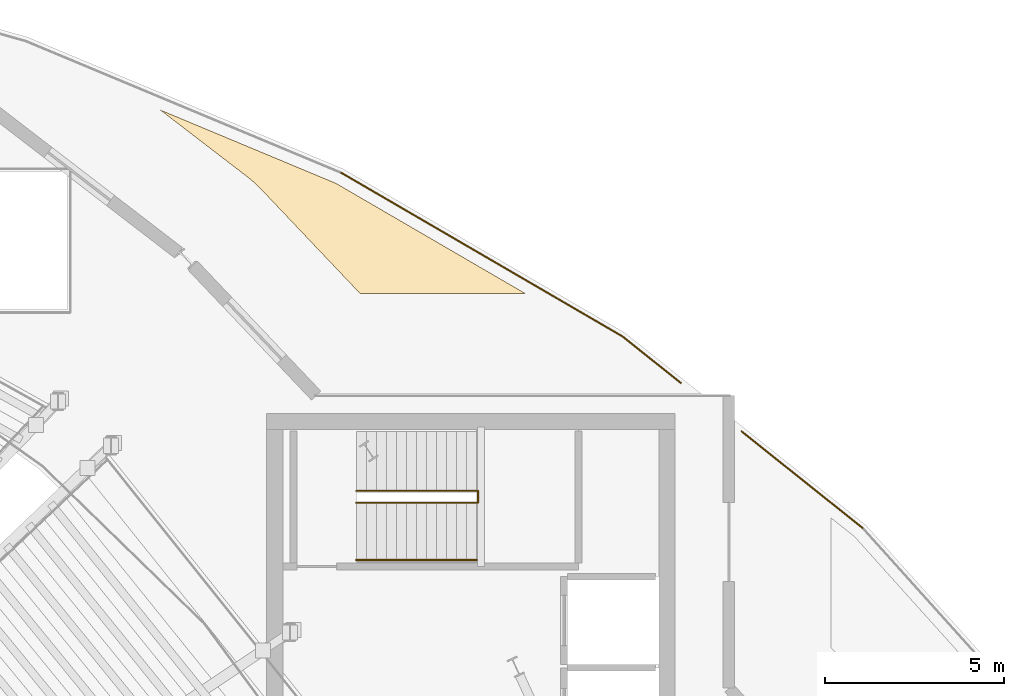
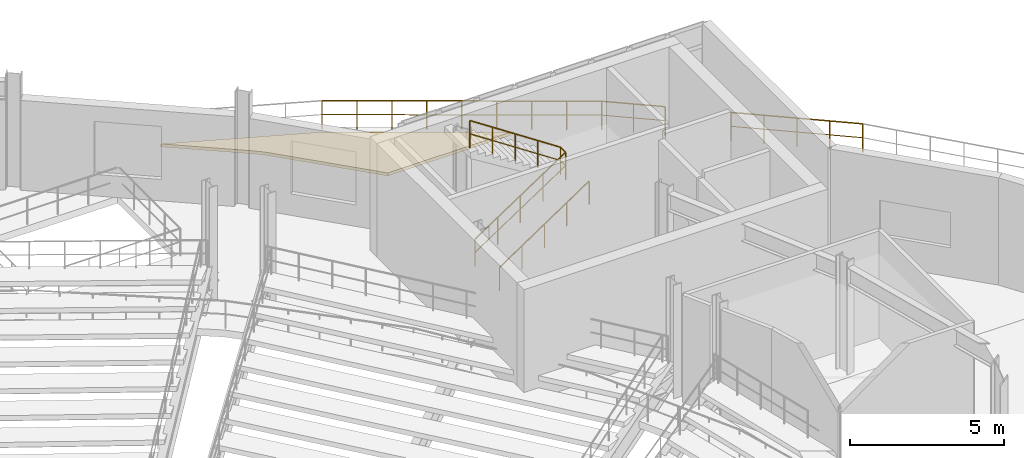
# One storey, part 81 of 81: 5 railings, 1 covering.
"""IFC4 building model written with IfcOpenShell, lengths in metres."""

import ifcopenshell
import ifcopenshell.guid

model = None  # the IFC model being written
_history = None  # IfcOwnerHistory: only IFC2X3 demands one
_inside = {}  # id of a spatial element -> (the spatial element, [elements in it])
_under = {}  # id of a project, library or spatial element -> (it, [spatial elements below it])
_declared = {}  # id of a project -> (the project, [libraries it declares])
_typed = {}  # id of a type object -> (the type object, [elements of that type])
_made_of = {}  # id of a material, layer set ... -> (it, [elements and type objects made of it])


def new_model(schema):
    """Start an empty IFC model of exactly this schema.

    Asked for "IFC4X3", IfcOpenShell would pick the latest addendum, in which some entities
    have other attributes; the version numbers below select the first issue.
    IFC2X3 requires an IfcOwnerHistory on every rooted entity: one is made here for all.
    """
    global model, _history
    if schema == "IFC4X3":
        model = ifcopenshell.file(schema_version=(4, 3, 0, 0))
    else:
        model = ifcopenshell.file(schema=schema)
    _inside.clear()
    _under.clear()
    _declared.clear()
    _typed.clear()
    _made_of.clear()
    _history = None
    if model.schema == "IFC2X3":
        org = make("IfcOrganization", Name="unknown")
        user = make(
            "IfcPersonAndOrganization",
            ThePerson=make("IfcPerson", FamilyName="unknown"),
            TheOrganization=org,
        )
        app = make(
            "IfcApplication",
            ApplicationDeveloper=org,
            Version="unknown",
            ApplicationFullName="unknown",
            ApplicationIdentifier="unknown",
        )
        _history = make(
            "IfcOwnerHistory",
            OwningUser=user,
            OwningApplication=app,
            ChangeAction="ADDED",
            CreationDate=0,
        )
    return model


def make(cls, **values):
    """One entity of the class cls with the attributes given. An attribute that is None is left unset."""
    return model.create_entity(
        cls, **{name: value for name, value in values.items() if value is not None}
    )


def rooted(cls, **values):
    """An entity with a GlobalId (a new one), such as an element, a storey or a relation."""
    return make(cls, GlobalId=ifcopenshell.guid.new(), OwnerHistory=_history, **values)


def si_unit(unit_type, name, prefix=None):
    """IfcSIUnit, for example si_unit("LENGTHUNIT", "METRE", prefix="MILLI")."""
    return make("IfcSIUnit", UnitType=unit_type, Prefix=prefix, Name=name)


def assignment(units):
    """IfcUnitAssignment: the units of a project."""
    return None if units is None else make("IfcUnitAssignment", Units=units)


def point(xyz):
    """IfcCartesianPoint."""
    return None if xyz is None else make("IfcCartesianPoint", Coordinates=xyz)


def direction(xyz):
    """IfcDirection."""
    return None if xyz is None else make("IfcDirection", DirectionRatios=xyz)


def frame(location, z_axis=None, x_axis=None):
    """IfcAxis2Placement3D, a coordinate frame: its origin and axes. An axis left out is left unset."""
    return make(
        "IfcAxis2Placement3D",
        Location=point(location),
        Axis=direction(z_axis),
        RefDirection=direction(x_axis),
    )


def frame_2d(location, x_axis=None):
    """IfcAxis2Placement2D, a coordinate frame in the plane: its origin and x axis."""
    return make(
        "IfcAxis2Placement2D", Location=point(location), RefDirection=direction(x_axis)
    )


def origin():
    """The frame at (0, 0, 0) with its axes left unset."""
    return frame((0.0, 0.0, 0.0))


def origin_2d():
    """The frame at (0, 0) in the plane with its x axis left unset."""
    return frame_2d((0.0, 0.0))


def place(relative_to, where):
    """IfcLocalPlacement: puts the frame where relative to a parent placement (None: the world)."""
    return make(
        "IfcLocalPlacement", PlacementRelTo=relative_to, RelativePlacement=where
    )


def context(
    kind, dimensions, precision=None, world=None, true_north=None, identifier=None
):
    """IfcGeometricRepresentationContext, for example the 3D "Model" context."""
    return make(
        "IfcGeometricRepresentationContext",
        ContextIdentifier=identifier,
        ContextType=kind,
        CoordinateSpaceDimension=dimensions,
        Precision=precision,
        WorldCoordinateSystem=world,
        TrueNorth=true_north,
    )


def subcontext(parent, identifier, kind, view, scale=None):
    """IfcGeometricRepresentationSubContext, for example "Body" below "Model"."""
    return make(
        "IfcGeometricRepresentationSubContext",
        ContextIdentifier=identifier,
        ContextType=kind,
        ParentContext=parent,
        TargetScale=scale,
        TargetView=view,
    )


def project(units=None, contexts=None):
    """IfcProject with its units and contexts."""
    return rooted(
        "IfcProject",
        Name="project",
        RepresentationContexts=contexts,
        UnitsInContext=assignment(units),
    )


def spatial(cls, under=None, at=None, **own):
    """A site, building, storey or space (cls), placed at a placement, below another one or the project."""
    s = rooted(cls, ObjectPlacement=at, **own)
    if under is not None:
        _under.setdefault(under.id(), (under, []))[1].append(s)
    return s


def polyline(points):
    """IfcPolyline through the points."""
    return make("IfcPolyline", Points=[point(p) for p in points])


def profile(cls, at=None, kind="AREA", **sizes):
    """A parametric profile (cls). Its sizes go by their IFC names, for example OverallWidth=200.0."""
    return make(cls, ProfileType=kind, Position=at, **sizes)


def circle(**sizes):
    """IfcCircleProfileDef."""
    return profile("IfcCircleProfileDef", **sizes)


def outline(outer, holes=None, kind="AREA"):
    """IfcArbitraryClosedProfileDef: a profile drawn as a closed curve; with holes, ...WithVoids."""
    if holes is None:
        return make("IfcArbitraryClosedProfileDef", ProfileType=kind, OuterCurve=outer)
    return make(
        "IfcArbitraryProfileDefWithVoids",
        ProfileType=kind,
        OuterCurve=outer,
        InnerCurves=holes,
    )


def extrude(swept, where, along, depth):
    """IfcExtrudedAreaSolid: the profile swept, set in the frame where, extruded along a direction by depth."""
    return make(
        "IfcExtrudedAreaSolid",
        SweptArea=swept,
        Position=where,
        ExtrudedDirection=direction(along),
        Depth=depth,
    )


def shape(context_of_items, identifier, shape_type, items):
    """IfcShapeRepresentation: the items that make up one representation, for example the "Body"."""
    return make(
        "IfcShapeRepresentation",
        ContextOfItems=context_of_items,
        RepresentationIdentifier=identifier,
        RepresentationType=shape_type,
        Items=items,
    )


def material(Name=None, Category=None):
    """IfcMaterial."""
    return make("IfcMaterial", Name=Name, Category=Category)


def layer(
    of_material, thickness, ventilated=None, Name=None, Category=None, Priority=None
):
    """IfcMaterialLayer: one layer of a wall or slab, of a material (None: an air gap)."""
    return make(
        "IfcMaterialLayer",
        Material=of_material,
        LayerThickness=thickness,
        IsVentilated=ventilated,
        Name=Name,
        Category=Category,
        Priority=Priority,
    )


def layer_set(layers, Name=None):
    """IfcMaterialLayerSet."""
    return make("IfcMaterialLayerSet", MaterialLayers=layers, LayerSetName=Name)


def made_of(thing, what):
    """Note that an element or type object is made of a material, layer set ...; save() writes the relation."""
    if what is not None:
        _made_of.setdefault(what.id(), (what, []))[1].append(thing)
    return thing


def type_object(cls, material=None, **own):
    """A type object (cls), such as IfcWallType, which elements share."""
    return made_of(rooted(cls, **own), material)


def element(
    cls,
    number,
    at=None,
    inside=None,
    cuts=None,
    type_object=None,
    material=None,
    context=None,
    identifier="Body",
    shape_type=None,
    held_by="IfcProductDefinitionShape",
    body=None,
    shapes=None,
    **own,
):
    """One element of the class cls, such as IfcWall. Its Tag is "e" and its number.

    at: its placement. inside: the storey or other place that contains it. cuts: it is an
    opening in that element (IfcRelVoidsElement). A single representation is given by context,
    identifier, shape_type and body (its items); several are given by shapes. held_by: the class
    of the entity that holds the representations. save() writes the other relations.
    """
    e = rooted(cls, Tag="e%d" % number, ObjectPlacement=at, **own)
    if body is not None:
        shapes = [shape(context, identifier, shape_type, body)]
    if shapes is not None:
        e.Representation = make(held_by, Representations=shapes)
    if inside is not None:
        _inside.setdefault(inside.id(), (inside, []))[1].append(e)
    if cuts is not None:
        rooted(
            "IfcRelVoidsElement", RelatingBuildingElement=cuts, RelatedOpeningElement=e
        )
    if type_object is not None:
        _typed.setdefault(type_object.id(), (type_object, []))[1].append(e)
    return made_of(e, material)


def aggregate(whole, parts):
    """IfcRelAggregates: a whole, such as a stair, and the parts it consists of."""
    return rooted("IfcRelAggregates", RelatingObject=whole, RelatedObjects=parts)


def save(model, path):
    """Write the relations noted so far, then the file.

    IfcRelAggregates (storeys below a building ...), IfcRelContainedInSpatialStructure (elements
    in a storey), IfcRelDefinesByType, IfcRelAssociatesMaterial and IfcRelDeclares: one each for
    every whole, place, type object, material and project.
    """
    for whole, parts in _under.values():
        aggregate(whole, parts)
    for where, things in _inside.values():
        rooted(
            "IfcRelContainedInSpatialStructure",
            RelatedElements=things,
            RelatingStructure=where,
        )
    for kind, things in _typed.values():
        rooted("IfcRelDefinesByType", RelatedObjects=things, RelatingType=kind)
    for what, things in _made_of.values():
        rooted("IfcRelAssociatesMaterial", RelatedObjects=things, RelatingMaterial=what)
    for by, libraries in _declared.values():
        rooted("IfcRelDeclares", RelatingContext=by, RelatedDefinitions=libraries)
    model.write(path)


model = new_model("IFC4")

# Units and contexts
model_context = context("Model", 3, precision=1e-05, world=origin(), true_north=direction((0.0, 1.0)))
body_context = subcontext(model_context, "Body", "Model", "MODEL_VIEW")
ifc_project = project(units=[si_unit("LENGTHUNIT", "METRE"), si_unit("AREAUNIT", "SQUARE_METRE"), si_unit("VOLUMEUNIT", "CUBIC_METRE"), si_unit("PLANEANGLEUNIT", "RADIAN"), si_unit("MASSUNIT", "GRAM", prefix="KILO")], contexts=[model_context])

# Site, building, storey
site_placement = place(None, origin())
site = spatial("IfcSite", under=ifc_project, at=site_placement, CompositionType="ELEMENT")
building_placement = place(site_placement, origin())
building = spatial("IfcBuilding", under=site, at=building_placement, Name="Glasvene Arena", CompositionType="ELEMENT")
storey_placement = place(building_placement, frame((0.0, 0.0, 15.0)))
storey = spatial("IfcBuildingStorey", under=building, at=storey_placement, Name="L03", CompositionType="ELEMENT", Elevation=15.0)

# Covering
ifc_material_1 = material(Name="Planted sedum green roof substrate")
ifc_layer = layer(ifc_material_1, 0.1201171875)
ifc_layer_set = layer_set([ifc_layer], Name="Planted sedum green roof substrate")
covering_type = type_object("IfcCoveringType", Name="COV-ROOF-SEDUM", PredefinedType="ROOFING", material=ifc_layer_set)
covering_placement = place(storey_placement, frame((130.274658203125, 106.518310546875, 0.0)))
element("IfcCovering", 1, at=covering_placement, inside=storey, type_object=covering_type, Name="Planted limestone terrace sedum bed TR-L03-STEP2-2-05", PredefinedType="ROOFING", context=body_context, shape_type="SweptSolid", body=[
    extrude(outline(polyline([(1.259521484375, 0.40283203125), (6.537109375, -2.668212890625), (1.929931640625, -2.668212890625), (-0.85205078125, 0.26318359375), (-0.8642578125, 0.27587890625), (-0.998779296875, 0.406494140625), (-1.024658203125, 0.43017578125), (-1.168701171875, 0.550048828125), (-1.182373046875, 0.56103515625), (-3.63525390625, 2.4462890625), (1.259521484375, 0.40283203125)])), origin(), (0.0, 0.0, 1.0), 0.1201171875),
])

# Railings
ifc_material_2 = material(Name="Brushed stainless steel", Category="steel")
railing_type_1 = type_object("IfcRailingType", Name="RL-GUARD-1100", PredefinedType="GUARDRAIL", material=ifc_material_2)
railing_1_placement = place(storey_placement, frame((132.10009765625, 98.010009765625, 0.0)))
element("IfcRailing", 2, at=railing_1_placement, inside=storey, type_object=railing_type_1, Name="Stair inner well continuous guardrail ST-02-L03", PredefinedType="GUARDRAIL", context=body_context, shape_type="SweptSolid", body=[
    extrude(circle(Radius=0.02392578125, at=origin_2d()), frame((0.0, 0.0, 1.076171875), z_axis=(0.833924910587, 0.0, 0.551877924456), x_axis=(0.0, 1.0, 0.0)), (0.0, 0.0, 1.0), 4.076904296875),
    extrude(circle(Radius=0.01611328125, at=origin_2d()), frame((0.0, 0.0, 0.550048828125), z_axis=(0.833924910587, 0.0, 0.551877924456), x_axis=(0.0, 1.0, 0.0)), (0.0, 0.0, 1.0), 4.076904296875),
    extrude(circle(Radius=0.02392578125, at=origin_2d()), frame((3.39990234375, 0.0, 3.326171875), z_axis=(0.0, 1.0, 0.0), x_axis=(-1.0, 0.0, 0.0)), (0.0, 0.0, 1.0), 0.330078125),
    extrude(circle(Radius=0.01611328125, at=origin_2d()), frame((3.39990234375, 0.0, 2.800048828125), z_axis=(0.0, 1.0, 0.0), x_axis=(-1.0, 0.0, 0.0)), (0.0, 0.0, 1.0), 0.330078125),
    extrude(circle(Radius=0.02392578125, at=origin_2d()), frame((3.39990234375, 0.330078125, 3.326171875), z_axis=(-0.833924910587, 0.0, 0.551877924456), x_axis=(0.0, -1.0, 0.0)), (0.0, 0.0, 1.0), 4.076904296875),
    extrude(circle(Radius=0.01611328125, at=origin_2d()), frame((3.39990234375, 0.330078125, 2.800048828125), z_axis=(-0.833924910587, 0.0, 0.551877924456), x_axis=(0.0, -1.0, 0.0)), (0.0, 0.0, 1.0), 4.076904296875),
    extrude(circle(Radius=0.02099609375, at=origin_2d()), origin(), (0.0, 0.0, 1.0), 1.052001953125),
    extrude(circle(Radius=0.02099609375, at=origin_2d()), frame((0.85009765625, 0.0, 0.5625)), (0.0, 0.0, 1.0), 1.052001953125),
    extrude(circle(Radius=0.02099609375, at=origin_2d()), frame((1.699951171875, 0.0, 1.125)), (0.0, 0.0, 1.0), 1.052001953125),
    extrude(circle(Radius=0.02099609375, at=origin_2d()), frame((2.5498046875, 0.0, 1.6875)), (0.0, 0.0, 1.0), 1.052001953125),
    extrude(circle(Radius=0.02099609375, at=origin_2d()), frame((3.39990234375, 0.0, 2.25)), (0.0, 0.0, 1.0), 1.052001953125),
    extrude(circle(Radius=0.02099609375, at=origin_2d()), frame((3.39990234375, 0.330078125, 2.25)), (0.0, 0.0, 1.0), 1.052001953125),
    extrude(circle(Radius=0.02099609375, at=origin_2d()), frame((2.5498046875, 0.330078125, 2.8125)), (0.0, 0.0, 1.0), 1.052001953125),
    extrude(circle(Radius=0.02099609375, at=origin_2d()), frame((1.699951171875, 0.330078125, 3.375)), (0.0, 0.0, 1.0), 1.052001953125),
    extrude(circle(Radius=0.02099609375, at=origin_2d()), frame((0.85009765625, 0.330078125, 3.9375)), (0.0, 0.0, 1.0), 1.052001953125),
    extrude(circle(Radius=0.02099609375, at=origin_2d()), frame((0.0, 0.330078125, 4.5)), (0.0, 0.0, 1.0), 1.052001953125),
])
ifc_material_3 = material(Name="Warm bronze architectural aluminium", Category="aluminium")
railing_type_2 = type_object("IfcRailingType", Name="RL-GUARD-EXT-1150", PredefinedType="GUARDRAIL", material=ifc_material_3)
railing_2_placement = place(storey_placement, frame((142.85009765625, 100.001708984375, 0.0)))
element("IfcRailing", 3, at=railing_2_placement, inside=storey, type_object=railing_type_2, Name="Safety guardrail GD-TER-L03-TR-L03-STEP2-1-02-001", PredefinedType="GUARDRAIL", context=body_context, shape_type="SweptSolid", body=[
    extrude(circle(Radius=0.02392578125, at=origin_2d()), frame((0.0, 0.0, 1.1259765625), z_axis=(0.78171602935, -0.623634547998, 0.0), x_axis=(0.623634547998, 0.78171602935, 0.0)), (0.0, 0.0, 1.0), 4.325927734375),
    extrude(circle(Radius=0.01611328125, at=origin_2d()), frame((0.0, 0.0, 0.574951171875), z_axis=(0.78171602935, -0.623634547998, 0.0), x_axis=(0.623634547998, 0.78171602935, 0.0)), (0.0, 0.0, 1.0), 4.325927734375),
    extrude(circle(Radius=0.02099609375, at=origin_2d()), origin(), (0.0, 0.0, 1.0), 1.101806640625),
    extrude(circle(Radius=0.02099609375, at=origin_2d()), frame((0.845458984375, -0.67431640625, 0.0)), (0.0, 0.0, 1.0), 1.101806640625),
    extrude(circle(Radius=0.02099609375, at=origin_2d()), frame((1.69091796875, -1.348876953125, 0.0)), (0.0, 0.0, 1.0), 1.101806640625),
    extrude(circle(Radius=0.02099609375, at=origin_2d()), frame((2.5361328125, -2.0234375, 0.0)), (0.0, 0.0, 1.0), 1.101806640625),
    extrude(circle(Radius=0.02099609375, at=origin_2d()), frame((3.381591796875, -2.69775390625, 0.0)), (0.0, 0.0, 1.0), 1.101806640625),
])
railing_3_placement = place(storey_placement, frame((131.681396484375, 107.21728515625, 0.0)))
element("IfcRailing", 4, at=railing_3_placement, inside=storey, type_object=railing_type_2, Name="Safety guardrail GD-TER-L03-TR-L03-STEP2-2-01-003", PredefinedType="GUARDRAIL", context=body_context, shape_type="SweptSolid", body=[
    extrude(circle(Radius=0.02392578125, at=origin_2d()), frame((0.0, 0.0, 1.1259765625), z_axis=(0.864311789952, -0.502956389512, 0.0), x_axis=(0.502956389512, 0.864311789952, 0.0)), (0.0, 0.0, 1.0), 9.0810546875),
    extrude(circle(Radius=0.01611328125, at=origin_2d()), frame((0.0, 0.0, 0.574951171875), z_axis=(0.864311789952, -0.502956389512, 0.0), x_axis=(0.502956389512, 0.864311789952, 0.0)), (0.0, 0.0, 1.0), 9.0810546875),
    extrude(circle(Radius=0.02099609375, at=origin_2d()), origin(), (0.0, 0.0, 1.0), 1.101806640625),
    extrude(circle(Radius=0.02099609375, at=origin_2d()), frame((0.981201171875, -0.57080078125, 0.0)), (0.0, 0.0, 1.0), 1.101806640625),
    extrude(circle(Radius=0.02099609375, at=origin_2d()), frame((1.962158203125, -1.141845703125, 0.0)), (0.0, 0.0, 1.0), 1.101806640625),
    extrude(circle(Radius=0.02099609375, at=origin_2d()), frame((2.943359375, -1.712890625, 0.0)), (0.0, 0.0, 1.0), 1.101806640625),
    extrude(circle(Radius=0.02099609375, at=origin_2d()), frame((3.92431640625, -2.28369140625, 0.0)), (0.0, 0.0, 1.0), 1.101806640625),
    extrude(circle(Radius=0.02099609375, at=origin_2d()), frame((4.905517578125, -2.8544921875, 0.0)), (0.0, 0.0, 1.0), 1.101806640625),
    extrude(circle(Radius=0.02099609375, at=origin_2d()), frame((5.88671875, -3.425537109375, 0.0)), (0.0, 0.0, 1.0), 1.101806640625),
    extrude(circle(Radius=0.02099609375, at=origin_2d()), frame((6.86767578125, -3.99658203125, 0.0)), (0.0, 0.0, 1.0), 1.101806640625),
    extrude(circle(Radius=0.02099609375, at=origin_2d()), frame((7.848876953125, -4.5673828125, 0.0)), (0.0, 0.0, 1.0), 1.101806640625),
])
railing_4_placement = place(storey_placement, frame((139.5302734375, 102.64990234375, 0.0)))
element("IfcRailing", 5, at=railing_4_placement, inside=storey, type_object=railing_type_2, Name="Safety guardrail GD-TER-L03-TR-L03-STEP2-2-01-004", PredefinedType="GUARDRAIL", context=body_context, shape_type="SweptSolid", body=[
    extrude(circle(Radius=0.02392578125, at=origin_2d()), frame((0.0, 0.0, 1.1259765625), z_axis=(0.781736543035, -0.623608833551, 0.0), x_axis=(0.623608833551, 0.781736543035, 0.0)), (0.0, 0.0, 1.0), 2.084228515625),
    extrude(circle(Radius=0.01611328125, at=origin_2d()), frame((0.0, 0.0, 0.574951171875), z_axis=(0.781736543035, -0.623608833551, 0.0), x_axis=(0.623608833551, 0.781736543035, 0.0)), (0.0, 0.0, 1.0), 2.084228515625),
    extrude(circle(Radius=0.02099609375, at=origin_2d()), origin(), (0.0, 0.0, 1.0), 1.101806640625),
    extrude(circle(Radius=0.02099609375, at=origin_2d()), frame((0.814697265625, -0.64990234375, 0.0)), (0.0, 0.0, 1.0), 1.101806640625),
    extrude(circle(Radius=0.02099609375, at=origin_2d()), frame((1.62939453125, -1.2998046875, 0.0)), (0.0, 0.0, 1.0), 1.101806640625),
])
railing_type_3 = type_object("IfcRailingType", Name="RL-HAND-950", PredefinedType="HANDRAIL", material=ifc_material_2)
railing_5_placement = place(storey_placement, frame((132.10009765625, 96.409912109375, 0.0)))
element("IfcRailing", 6, at=railing_5_placement, inside=storey, type_object=railing_type_3, Name="Stair wall handrail ST-02-L03", PredefinedType="HANDRAIL", context=body_context, shape_type="SweptSolid", body=[
    extrude(circle(Radius=0.02392578125, at=origin_2d()), frame((0.0, 0.0, 0.92578125), z_axis=(0.830896709279, 0.0, 0.556426687452), x_axis=(0.0, 1.0, 0.0)), (0.0, 0.0, 1.0), 4.043701171875),
    extrude(circle(Radius=0.02099609375, at=origin_2d()), origin(), (0.0, 0.0, 1.0), 0.90185546875),
    extrude(circle(Radius=0.02099609375, at=origin_2d()), frame((0.83984375, 0.0, 0.5625)), (0.0, 0.0, 1.0), 0.90185546875),
    extrude(circle(Radius=0.02099609375, at=origin_2d()), frame((1.679931640625, 0.0, 1.125)), (0.0, 0.0, 1.0), 0.90185546875),
    extrude(circle(Radius=0.02099609375, at=origin_2d()), frame((2.52001953125, 0.0, 1.6875)), (0.0, 0.0, 1.0), 0.90185546875),
    extrude(circle(Radius=0.02099609375, at=origin_2d()), frame((3.35986328125, 0.0, 2.25)), (0.0, 0.0, 1.0), 0.90185546875),
])

save(model, "model.ifc")
